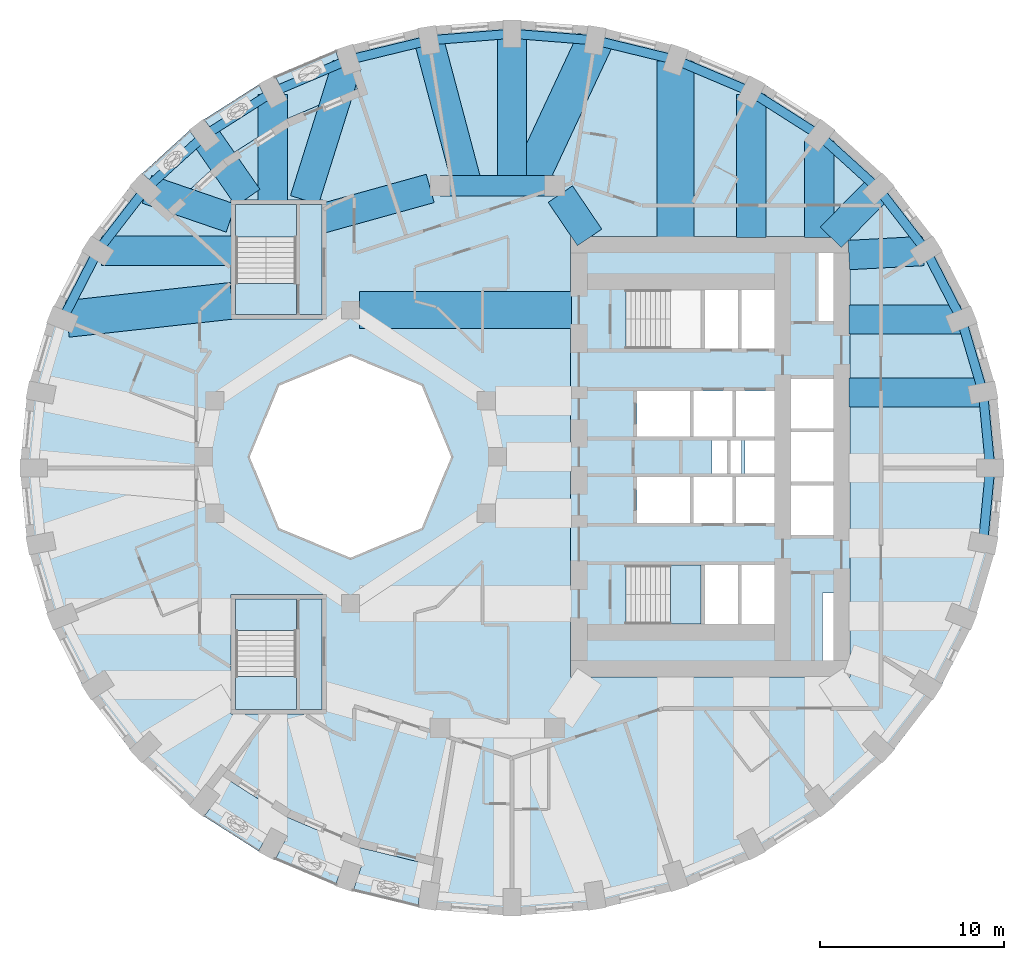
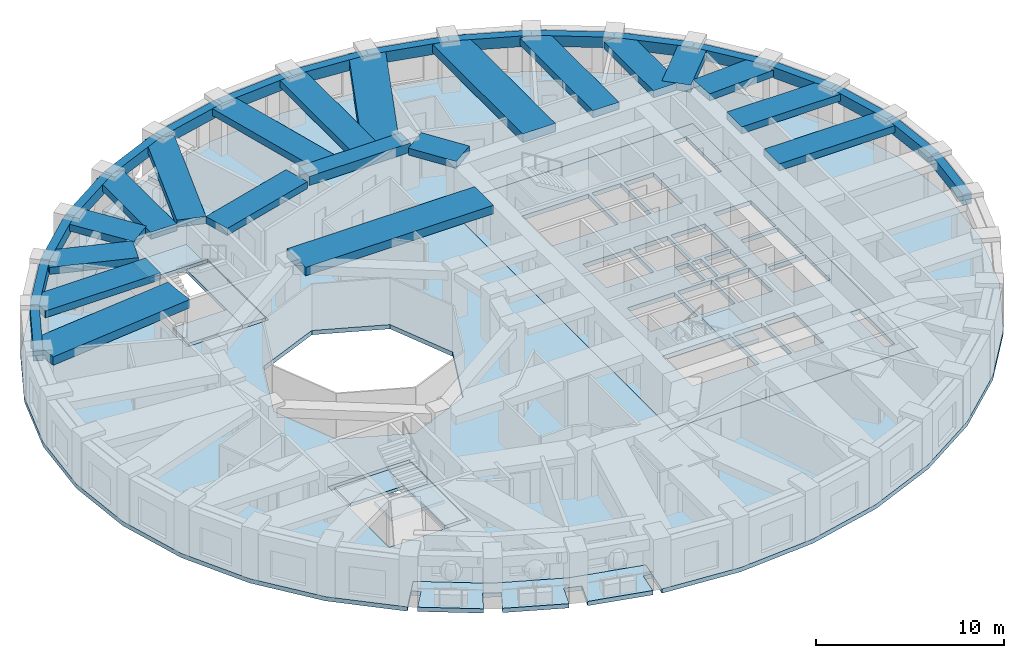
# One storey, part 2 of 12: 37 beams, 11 slabs, 3 elements without a shape of their own.
"""IFC4 building model written with IfcOpenShell, lengths in metres."""

from ifc_helpers import new_model, si_unit, direction, frame, origin, origin_2d, place, context, subcontext, project, spatial, polyline, rectangle, outline, extrude, material, layer, layer_set, material_profile, profile_set, type_object, element, aggregate, save


model = new_model("IFC4")

# Units and contexts
model_context = context("Model", 3, precision=1e-05, world=origin(), true_north=direction((0.0, 1.0)))
body_context = subcontext(model_context, "Body", "Model", "MODEL_VIEW")
ifc_project = project(units=[si_unit("LENGTHUNIT", "METRE"), si_unit("AREAUNIT", "SQUARE_METRE"), si_unit("VOLUMEUNIT", "CUBIC_METRE"), si_unit("PLANEANGLEUNIT", "RADIAN"), si_unit("MASSUNIT", "GRAM", prefix="KILO")], contexts=[model_context])

# Site, building, storey
site_placement = place(None, origin())
site = spatial("IfcSite", under=ifc_project, at=site_placement, CompositionType="ELEMENT")
building_placement = place(site_placement, origin())
building = spatial("IfcBuilding", under=site, at=building_placement, Name="Taillehof Tower", CompositionType="ELEMENT")
storey_placement = place(building_placement, frame((0.0, 0.0, 118.60009765625)))
storey = spatial("IfcBuildingStorey", under=building, at=storey_placement, Name="L33", CompositionType="ELEMENT", Elevation=118.60009765625)

# Beams
ifc_material_1 = material(Name="Concrete C50/60", Category="concrete")
ifc_material_profile_1 = material_profile(ifc_material_1, rectangle(XDim=1.10009765625, YDim=0.60009765625, at=origin_2d()), Name="RC 1100x600")
ifc_profile_set_1 = profile_set([ifc_material_profile_1], Name="Concrete C50/60")
beam_type_1 = type_object("IfcBeamType", Name="Mid-ring beam C50/60 1100x600", PredefinedType="BEAM", material=ifc_profile_set_1)
beam_1_placement = place(storey_placement, frame((3.125732421875, 14.772216796875, 2.719970703125), z_axis=(-1.0, 0.0, 0.0), x_axis=(0.0, -1.0, 0.0)))
element("IfcBeam", 1, at=beam_1_placement, inside=storey, type_object=beam_type_1, Name="Mid-ring beam MB01", PredefinedType="BEAM", context=body_context, shape_type="SweptSolid", body=[
    extrude(rectangle(XDim=1.10009765625, YDim=0.60009765625, at=origin_2d()), origin(), (0.0, 0.0, 1.0), 6.25146484375),
])
ifc_material_2 = material(Name="Concrete C50/60", Category="concrete")
ifc_material_profile_2 = material_profile(ifc_material_2, rectangle(XDim=1.60009765625, YDim=0.449951171875, at=origin_2d()), Name="RC 1600x450")
ifc_profile_set_2 = profile_set([ifc_material_profile_2], Name="Concrete C50/60")
beam_type_2 = type_object("IfcBeamType", Name="Radial band beam C50/60 1600x450", PredefinedType="BEAM", material=ifc_profile_set_2)
beam_2_placement = place(storey_placement, frame((26.454345703125, 3.5068359375, 2.794921875), z_axis=(-1.0, 0.0, 0.0), x_axis=(0.0, -1.0, 0.0)))
element("IfcBeam", 2, at=beam_2_placement, inside=storey, type_object=beam_type_2, Name="Radial band beam RB02", PredefinedType="BEAM", context=body_context, shape_type="SweptSolid", body=[
    extrude(rectangle(XDim=1.60009765625, YDim=0.449951171875, at=origin_2d()), origin(), (0.0, 0.0, 1.0), 7.304443359375),
])
beam_3_placement = place(storey_placement, frame((25.2275390625, 7.48876953125, 2.794921875), z_axis=(-1.0, 0.0, 0.0), x_axis=(0.0, -1.0, 0.0)))
element("IfcBeam", 3, at=beam_3_placement, inside=storey, type_object=beam_type_2, Name="Radial band beam RB03", PredefinedType="BEAM", context=body_context, shape_type="SweptSolid", body=[
    extrude(rectangle(XDim=1.60009765625, YDim=0.449951171875, at=origin_2d()), origin(), (0.0, 0.0, 1.0), 6.07763671875),
])
beam_4_placement = place(storey_placement, frame((23.197021484375, 11.21630859375, 2.794921875), z_axis=(-0.998539024739, -0.054035322466, 0.0), x_axis=(0.054035322466, -0.998539024739, 0.0)))
element("IfcBeam", 4, at=beam_4_placement, inside=storey, type_object=beam_type_2, Name="Radial band beam RB04", PredefinedType="BEAM", context=body_context, shape_type="SweptSolid", body=[
    extrude(rectangle(XDim=1.60009765625, YDim=0.449951171875, at=origin_2d()), origin(), (0.0, 0.0, 1.0), 4.052734375),
])
beam_5_placement = place(storey_placement, frame((20.75537109375, 14.60205078125, 2.794921875), z_axis=(-0.700671998657, -0.713483531903, 0.0), x_axis=(0.713483531903, -0.700671998657, 0.0)))
element("IfcBeam", 5, at=beam_5_placement, inside=storey, type_object=beam_type_2, Name="Radial band beam RB05", PredefinedType="BEAM", context=body_context, shape_type="SweptSolid", body=[
    extrude(rectangle(XDim=1.60009765625, YDim=0.449951171875, at=origin_2d()), origin(), (0.0, 0.0, 1.0), 3.697021484375),
])
beam_6_placement = place(storey_placement, frame((17.544677734375, 17.2216796875, 2.794921875), z_axis=(0.0, -1.0, 0.0), x_axis=(1.0, 0.0, 0.0)))
element("IfcBeam", 6, at=beam_6_placement, inside=storey, type_object=beam_type_2, Name="Radial band beam RB06", PredefinedType="BEAM", context=body_context, shape_type="SweptSolid", body=[
    extrude(rectangle(XDim=1.60009765625, YDim=0.449951171875, at=origin_2d()), origin(), (0.0, 0.0, 1.0), 5.271728515625),
])
beam_7_placement = place(storey_placement, frame((13.824951171875, 19.744384765625, 2.794921875), z_axis=(0.0, -1.0, 0.0), x_axis=(1.0, 0.0, 0.0)))
element("IfcBeam", 7, at=beam_7_placement, inside=storey, type_object=beam_type_2, Name="Radial band beam RB07", PredefinedType="BEAM", context=body_context, shape_type="SweptSolid", body=[
    extrude(rectangle(XDim=1.60009765625, YDim=0.449951171875, at=origin_2d()), origin(), (0.0, 0.0, 1.0), 7.79443359375),
])
beam_8_placement = place(storey_placement, frame((0.800048828125, 23.050048828125, 2.794921875), z_axis=(0.0, -1.0, 0.0), x_axis=(1.0, 0.0, 0.0)))
element("IfcBeam", 8, at=beam_8_placement, inside=storey, type_object=beam_type_2, Name="Radial band beam RB10", PredefinedType="BEAM", context=body_context, shape_type="SweptSolid", body=[
    extrude(rectangle(XDim=1.60009765625, YDim=0.449951171875, at=origin_2d()), origin(), (0.0, 0.0, 1.0), 8.27783203125),
])
beam_9_placement = place(storey_placement, frame((-3.7236328125, 22.690673828125, 2.794921875), z_axis=(0.256102263642, -0.966649693817, 0.0), x_axis=(0.966649693817, 0.256102263642, 0.0)))
element("IfcBeam", 9, at=beam_9_placement, inside=storey, type_object=beam_type_2, Name="Radial band beam RB11", PredefinedType="BEAM", context=body_context, shape_type="SweptSolid", body=[
    extrude(rectangle(XDim=1.60009765625, YDim=0.449951171875, at=origin_2d()), origin(), (0.0, 0.0, 1.0), 8.191650390625),
])
beam_10_placement = place(storey_placement, frame((-8.189453125, 21.369140625, 2.794921875), z_axis=(-0.299184997435, -0.954195125386, 0.0), x_axis=(0.954195125386, -0.299184997435, 0.0)))
element("IfcBeam", 10, at=beam_10_placement, inside=storey, type_object=beam_type_2, Name="Radial band beam RB12", PredefinedType="BEAM", context=body_context, shape_type="SweptSolid", body=[
    extrude(rectangle(XDim=1.60009765625, YDim=0.449951171875, at=origin_2d()), origin(), (0.0, 0.0, 1.0), 7.728515625),
])
beam_11_placement = place(storey_placement, frame((-12.22509765625, 19.744384765625, 2.794921875), z_axis=(0.0, -1.0, 0.0), x_axis=(1.0, 0.0, 0.0)))
element("IfcBeam", 11, at=beam_11_placement, inside=storey, type_object=beam_type_2, Name="Radial band beam RB13", PredefinedType="BEAM", context=body_context, shape_type="SweptSolid", body=[
    extrude(rectangle(XDim=1.60009765625, YDim=0.449951171875, at=origin_2d()), origin(), (0.0, 0.0, 1.0), 5.79443359375),
])
beam_12_placement = place(storey_placement, frame((-15.944580078125, 17.516845703125, 2.794921875), z_axis=(0.570763290366, -0.821114648737, 0.0), x_axis=(0.821114648737, 0.570763290366, 0.0)))
element("IfcBeam", 12, at=beam_12_placement, inside=storey, type_object=beam_type_2, Name="Radial band beam RB14", PredefinedType="BEAM", context=body_context, shape_type="SweptSolid", body=[
    extrude(rectangle(XDim=1.60009765625, YDim=0.449951171875, at=origin_2d()), origin(), (0.0, 0.0, 1.0), 4.1328125),
])
beam_13_placement = place(storey_placement, frame((-19.080810546875, 14.576171875, 2.794921875), z_axis=(0.945583195076, -0.325380425334, 0.0), x_axis=(0.325380425334, 0.945583195076, 0.0)))
element("IfcBeam", 13, at=beam_13_placement, inside=storey, type_object=beam_type_2, Name="Radial band beam RB15", PredefinedType="BEAM", context=body_context, shape_type="SweptSolid", body=[
    extrude(rectangle(XDim=1.60009765625, YDim=0.449951171875, at=origin_2d()), origin(), (0.0, 0.0, 1.0), 4.83349609375),
])
beam_14_placement = place(storey_placement, frame((-21.54736328125, 11.22509765625, 2.794921875), z_axis=(1.0, 0.0, 0.0), x_axis=(0.0, 1.0, 0.0)))
element("IfcBeam", 14, at=beam_14_placement, inside=storey, type_object=beam_type_2, Name="Radial band beam RB16", PredefinedType="BEAM", context=body_context, shape_type="SweptSolid", body=[
    extrude(rectangle(XDim=1.60009765625, YDim=0.449951171875, at=origin_2d()), origin(), (0.0, 0.0, 1.0), 7.097412109375),
])
beam_15_placement = place(storey_placement, frame((3.433837890625, 14.31640625, 2.794921875), z_axis=(0.560112043398, -0.828416862962, 0.0), x_axis=(0.828416862962, 0.560112043398, 0.0)))
element("IfcBeam", 15, at=beam_15_placement, inside=storey, type_object=beam_type_2, Name="Inner band beam IB205", PredefinedType="BEAM", context=body_context, shape_type="SweptSolid", body=[
    extrude(rectangle(XDim=1.60009765625, YDim=0.449951171875, at=origin_2d()), origin(), (0.0, 0.0, 1.0), 2.84619140625),
])
beam_16_placement = place(storey_placement, frame((-3.655517578125, 14.624755859375, 2.794921875), z_axis=(-0.963459369536, -0.267854518821, 0.0), x_axis=(0.267854518821, -0.963459369536, 0.0)))
element("IfcBeam", 16, at=beam_16_placement, inside=storey, type_object=beam_type_2, Name="Inner band beam IB206", PredefinedType="BEAM", context=body_context, shape_type="SweptSolid", body=[
    extrude(rectangle(XDim=1.60009765625, YDim=0.449951171875, at=origin_2d()), origin(), (0.0, 0.0, 1.0), 6.096923828125),
])
ifc_material_3 = material(Name="Concrete C50/60", Category="concrete")
ifc_material_profile_3 = material_profile(ifc_material_3, rectangle(XDim=2.0, YDim=0.550048828125, at=origin_2d()), Name="RC 2000x550")
ifc_profile_set_3 = profile_set([ifc_material_profile_3], Name="Concrete C50/60")
beam_type_3 = type_object("IfcBeamType", Name="Radial band beam C50/60 2000x550", PredefinedType="BEAM", material=ifc_profile_set_3)
beam_17_placement = place(storey_placement, frame((9.709716796875, 21.556640625, 2.744873046875), z_axis=(0.0, -1.0, 0.0), x_axis=(1.0, 0.0, 0.0)))
element("IfcBeam", 17, at=beam_17_placement, inside=storey, type_object=beam_type_3, Name="Radial band beam RB08", PredefinedType="BEAM", context=body_context, shape_type="SweptSolid", body=[
    extrude(rectangle(XDim=2.0, YDim=0.550048828125, at=origin_2d()), origin(), (0.0, 0.0, 1.0), 9.606689453125),
])
beam_18_placement = place(storey_placement, frame((5.312744140625, 22.66748046875, 2.744873046875), z_axis=(-0.423126261145, -0.90607072965, 0.0), x_axis=(0.90607072965, -0.423126261145, 0.0)))
element("IfcBeam", 18, at=beam_18_placement, inside=storey, type_object=beam_type_3, Name="Radial band beam RB09", PredefinedType="BEAM", context=body_context, shape_type="SweptSolid", body=[
    extrude(rectangle(XDim=2.0, YDim=0.550048828125, at=origin_2d()), origin(), (0.0, 0.0, 1.0), 8.713623046875),
])
beam_19_placement = place(storey_placement, frame((-23.42919921875, 7.516357421875, 2.744873046875), z_axis=(0.993988424713, 0.109485211499, 0.0), x_axis=(-0.109485211499, 0.993988424713, 0.0)))
element("IfcBeam", 19, at=beam_19_placement, inside=storey, type_object=beam_type_3, Name="Radial band beam RB17", PredefinedType="BEAM", context=body_context, shape_type="SweptSolid", body=[
    extrude(rectangle(XDim=2.0, YDim=0.550048828125, at=origin_2d()), origin(), (0.0, 0.0, 1.0), 9.033203125),
])
beam_20_placement = place(storey_placement, frame((-7.5, 8.0, 2.744873046875), z_axis=(1.0, 0.0, 0.0), x_axis=(0.0, 1.0, 0.0)))
element("IfcBeam", 20, at=beam_20_placement, inside=storey, type_object=beam_type_3, Name="Inner band beam IB105", PredefinedType="BEAM", context=body_context, shape_type="SweptSolid", body=[
    extrude(rectangle(XDim=2.0, YDim=0.550048828125, at=origin_2d()), origin(), (0.0, 0.0, 1.0), 11.550048828125),
])
ifc_material_4 = material(Name="Concrete C50/60", Category="concrete")
ifc_material_profile_4 = material_profile(ifc_material_4, rectangle(XDim=0.5, YDim=0.699951171875, at=origin_2d()), Name="RC 500x700")
ifc_profile_set_4 = profile_set([ifc_material_profile_4], Name="Concrete C50/60")
beam_type_4 = type_object("IfcBeamType", Name="Spandrel beam C50/60 500x700", PredefinedType="SPANDREL", material=ifc_profile_set_4)
beam_21_placement = place(storey_placement, frame((26.85009765625, -0.60009765625, 2.669921875), z_axis=(-0.095917608943, 0.995389276763, 0.0), x_axis=(-0.995389276763, -0.095917608943, 0.0)))
element("IfcBeam", 21, at=beam_21_placement, inside=storey, type_object=beam_type_4, Name="Spandrel beam SB01", PredefinedType="SPANDREL", context=body_context, shape_type="SweptSolid", body=[
    extrude(rectangle(XDim=0.5, YDim=0.699951171875, at=origin_2d()), origin(), (0.0, 0.0, 1.0), 4.1259765625),
])
beam_22_placement = place(storey_placement, frame((26.454345703125, 3.5068359375, 2.669921875), z_axis=(-0.28308309012, 0.95909538842, 0.0), x_axis=(-0.95909538842, -0.28308309012, 0.0)))
element("IfcBeam", 22, at=beam_22_placement, inside=storey, type_object=beam_type_4, Name="Spandrel beam SB02", PredefinedType="SPANDREL", context=body_context, shape_type="SweptSolid", body=[
    extrude(rectangle(XDim=0.5, YDim=0.699951171875, at=origin_2d()), origin(), (0.0, 0.0, 1.0), 4.15185546875),
])
beam_23_placement = place(storey_placement, frame((25.279052734375, 7.48876953125, 2.669921875), z_axis=(-0.456905372708, 0.88951530644, 0.0), x_axis=(-0.88951530644, -0.456905372708, 0.0)))
element("IfcBeam", 23, at=beam_23_placement, inside=storey, type_object=beam_type_4, Name="Spandrel beam SB03", PredefinedType="SPANDREL", context=body_context, shape_type="SweptSolid", body=[
    extrude(rectangle(XDim=0.5, YDim=0.699951171875, at=origin_2d()), origin(), (0.0, 0.0, 1.0), 4.200439453125),
])
beam_24_placement = place(storey_placement, frame((23.35986328125, 11.22509765625, 2.669921875), z_axis=(-0.61071731561, 0.79184869793, 0.0), x_axis=(-0.79184869793, -0.61071731561, 0.0)))
element("IfcBeam", 24, at=beam_24_placement, inside=storey, type_object=beam_type_4, Name="Spandrel beam SB04", PredefinedType="SPANDREL", context=body_context, shape_type="SweptSolid", body=[
    extrude(rectangle(XDim=0.5, YDim=0.699951171875, at=origin_2d()), origin(), (0.0, 0.0, 1.0), 4.2646484375),
])
beam_25_placement = place(storey_placement, frame((20.75537109375, 14.60205078125, 2.669921875), z_axis=(-0.740400998917, 0.672165426665, 0.0), x_axis=(-0.672165426665, -0.740400998917, 0.0)))
element("IfcBeam", 25, at=beam_25_placement, inside=storey, type_object=beam_type_4, Name="Spandrel beam SB05", PredefinedType="SPANDREL", context=body_context, shape_type="SweptSolid", body=[
    extrude(rectangle(XDim=0.5, YDim=0.699951171875, at=origin_2d()), origin(), (0.0, 0.0, 1.0), 4.33642578125),
])
beam_26_placement = place(storey_placement, frame((17.544677734375, 17.516845703125, 2.669921875), z_axis=(-0.843903157847, 0.536495536027, 0.0), x_axis=(-0.536495536027, -0.843903157847, 0.0)))
element("IfcBeam", 26, at=beam_26_placement, inside=storey, type_object=beam_type_4, Name="Spandrel beam SB06", PredefinedType="SPANDREL", context=body_context, shape_type="SweptSolid", body=[
    extrude(rectangle(XDim=0.5, YDim=0.699951171875, at=origin_2d()), origin(), (0.0, 0.0, 1.0), 4.40771484375),
])
beam_27_placement = place(storey_placement, frame((13.824951171875, 19.881591796875, 2.669921875), z_axis=(-0.920876744153, 0.389853847074, 0.0), x_axis=(-0.389853847074, -0.920876744153, 0.0)))
element("IfcBeam", 27, at=beam_27_placement, inside=storey, type_object=beam_type_4, Name="Spandrel beam SB07", PredefinedType="SPANDREL", context=body_context, shape_type="SweptSolid", body=[
    extrude(rectangle(XDim=0.5, YDim=0.699951171875, at=origin_2d()), origin(), (0.0, 0.0, 1.0), 4.46875),
])
beam_28_placement = place(storey_placement, frame((9.709716796875, 21.623779296875, 2.669921875), z_axis=(-0.971668945916, 0.23634605887, 0.0), x_axis=(-0.23634605887, -0.971668945916, 0.0)))
element("IfcBeam", 28, at=beam_28_placement, inside=storey, type_object=beam_type_4, Name="Spandrel beam SB08", PredefinedType="SPANDREL", context=body_context, shape_type="SweptSolid", body=[
    extrude(rectangle(XDim=0.5, YDim=0.699951171875, at=origin_2d()), origin(), (0.0, 0.0, 1.0), 4.51416015625),
])
beam_29_placement = place(storey_placement, frame((5.323486328125, 22.690673828125, 2.669921875), z_axis=(-0.996858923208, 0.079197772828, 0.0), x_axis=(-0.079197772828, -0.996858923208, 0.0)))
element("IfcBeam", 29, at=beam_29_placement, inside=storey, type_object=beam_type_4, Name="Spandrel beam SB09", PredefinedType="SPANDREL", context=body_context, shape_type="SweptSolid", body=[
    extrude(rectangle(XDim=0.5, YDim=0.699951171875, at=origin_2d()), origin(), (0.0, 0.0, 1.0), 4.53759765625),
])
beam_30_placement = place(storey_placement, frame((0.800048828125, 23.050048828125, 2.669921875), z_axis=(-0.996859260648, -0.079193525375, 0.0), x_axis=(0.079193525375, -0.996859260648, 0.0)))
element("IfcBeam", 30, at=beam_30_placement, inside=storey, type_object=beam_type_4, Name="Spandrel beam SB10", PredefinedType="SPANDREL", context=body_context, shape_type="SweptSolid", body=[
    extrude(rectangle(XDim=0.5, YDim=0.699951171875, at=origin_2d()), origin(), (0.0, 0.0, 1.0), 4.537841796875),
])
beam_31_placement = place(storey_placement, frame((-3.7236328125, 22.690673828125, 2.669921875), z_axis=(-0.971665924588, -0.236358479847, 0.0), x_axis=(0.236358479847, -0.971665924588, 0.0)))
element("IfcBeam", 31, at=beam_31_placement, inside=storey, type_object=beam_type_4, Name="Spandrel beam SB11", PredefinedType="SPANDREL", context=body_context, shape_type="SweptSolid", body=[
    extrude(rectangle(XDim=0.5, YDim=0.699951171875, at=origin_2d()), origin(), (0.0, 0.0, 1.0), 4.513916015625),
])
beam_32_placement = place(storey_placement, frame((-8.109619140625, 21.623779296875, 2.669921875), z_axis=(-0.920885046825, -0.389834234688, 0.0), x_axis=(0.389834234688, -0.920885046825, 0.0)))
element("IfcBeam", 32, at=beam_32_placement, inside=storey, type_object=beam_type_4, Name="Spandrel beam SB12", PredefinedType="SPANDREL", context=body_context, shape_type="SweptSolid", body=[
    extrude(rectangle(XDim=0.5, YDim=0.699951171875, at=origin_2d()), origin(), (0.0, 0.0, 1.0), 4.468994140625),
])
beam_33_placement = place(storey_placement, frame((-12.22509765625, 19.881591796875, 2.669921875), z_axis=(-0.843887214322, -0.536520614239, 0.0), x_axis=(0.536520614239, -0.843887214322, 0.0)))
element("IfcBeam", 33, at=beam_33_placement, inside=storey, type_object=beam_type_4, Name="Spandrel beam SB13", PredefinedType="SPANDREL", context=body_context, shape_type="SweptSolid", body=[
    extrude(rectangle(XDim=0.5, YDim=0.699951171875, at=origin_2d()), origin(), (0.0, 0.0, 1.0), 4.407470703125),
])
beam_34_placement = place(storey_placement, frame((-15.944580078125, 17.516845703125, 2.669921875), z_axis=(-0.740426434014, -0.672137408432, 0.0), x_axis=(0.672137408432, -0.740426434014, 0.0)))
element("IfcBeam", 34, at=beam_34_placement, inside=storey, type_object=beam_type_4, Name="Spandrel beam SB14", PredefinedType="SPANDREL", context=body_context, shape_type="SweptSolid", body=[
    extrude(rectangle(XDim=0.5, YDim=0.699951171875, at=origin_2d()), origin(), (0.0, 0.0, 1.0), 4.336669921875),
])
beam_35_placement = place(storey_placement, frame((-19.155517578125, 14.60205078125, 2.669921875), z_axis=(-0.61071731561, -0.79184869793, 0.0), x_axis=(0.79184869793, -0.61071731561, 0.0)))
element("IfcBeam", 35, at=beam_35_placement, inside=storey, type_object=beam_type_4, Name="Spandrel beam SB15", PredefinedType="SPANDREL", context=body_context, shape_type="SweptSolid", body=[
    extrude(rectangle(XDim=0.5, YDim=0.699951171875, at=origin_2d()), origin(), (0.0, 0.0, 1.0), 4.2646484375),
])
beam_36_placement = place(storey_placement, frame((-21.760009765625, 11.22509765625, 2.669921875), z_axis=(-0.456859381733, -0.889538928503, 0.0), x_axis=(0.889538928503, -0.456859381733, 0.0)))
element("IfcBeam", 36, at=beam_36_placement, inside=storey, type_object=beam_type_4, Name="Spandrel beam SB16", PredefinedType="SPANDREL", context=body_context, shape_type="SweptSolid", body=[
    extrude(rectangle(XDim=0.5, YDim=0.699951171875, at=origin_2d()), origin(), (0.0, 0.0, 1.0), 4.2001953125),
])
beam_37_placement = place(storey_placement, frame((26.454345703125, -4.706787109375, 2.669921875), z_axis=(0.09592325873, 0.995388732323, 0.0), x_axis=(-0.995388732323, 0.09592325873, 0.0)))
element("IfcBeam", 37, at=beam_37_placement, inside=storey, type_object=beam_type_4, Name="Spandrel beam SB36", PredefinedType="SPANDREL", context=body_context, shape_type="SweptSolid", body=[
    extrude(rectangle(XDim=0.5, YDim=0.699951171875, at=origin_2d()), origin(), (0.0, 0.0, 1.0), 4.125732421875),
])

# Slabs
ifc_material_5 = material(Name="Concrete C40/50", Category="concrete")
ifc_layer_1 = layer(ifc_material_5, 0.280029296875)
ifc_layer_set_1 = layer_set([ifc_layer_1], Name="Balcony slab 280")
slab_type_1 = type_object("IfcSlabType", Name="Balcony slab 280", PredefinedType="USERDEFINED", material=ifc_layer_set_1)
slab_1_placement = place(storey_placement, frame((0.0, 0.0, -0.280029296875)))
element("IfcSlab", 38, at=slab_1_placement, inside=storey, type_object=slab_type_1, Name="Balcony L33 pocket 7", ObjectType="BALCONY", PredefinedType="USERDEFINED", context=body_context, shape_type="SweptSolid", body=[
    extrude(outline(polyline([(-3.473388671875, -22.259765625), (-3.615966796875, -23.1484375), (-4.098388671875, -23.071044921875), (-4.329833984375, -24.51318359375), (-7.857666015625, -23.652587890625), (-7.399169921875, -22.26904296875), (-8.348388671875, -21.95458984375), (-8.807861328125, -23.341064453125), (-12.11083984375, -21.938720703125), (-11.433349609375, -20.650390625), (-12.318603515625, -20.18505859375), (-12.998046875, -21.477294921875), (-15.974609375, -19.579833984375), (-15.092041015625, -18.424560546875), (-15.5166015625, -18.10009765625), (-14.9697265625, -17.38427734375), (-11.4833984375, -19.606689453125), (-7.611328125, -21.250244140625), (-3.473388671875, -22.259765625)])), origin(), (0.0, 0.0, 1.0), 0.280029296875),
])
slab_2_placement = place(storey_placement, frame((0.0, 0.0, -0.280029296875)))
element("IfcSlab", 39, at=slab_2_placement, inside=storey, type_object=slab_type_1, Name="Balcony L33 pocket 3", ObjectType="BALCONY", PredefinedType="USERDEFINED", context=body_context, shape_type="SweptSolid", body=[
    extrude(outline(polyline([(-17.965087890625, 13.45751953125), (-18.627685546875, 14.068115234375), (-18.26513671875, 14.46142578125), (-19.3330078125, 15.445556640625), (-16.7724609375, 17.77685546875), (-15.88671875, 16.617431640625), (-15.092041015625, 17.224609375), (-15.974609375, 18.379638671875), (-12.998046875, 20.27734375), (-12.318603515625, 18.985107421875), (-11.433349609375, 19.4501953125), (-12.11083984375, 20.73876953125), (-8.807861328125, 22.14111328125), (-8.348388671875, 20.754638671875), (-7.894287109375, 20.905029296875), (-7.611328125, 20.05029296875), (-11.4833984375, 18.40673828125), (-14.9697265625, 16.184326171875), (-17.965087890625, 13.45751953125)])), origin(), (0.0, 0.0, 1.0), 0.280029296875),
])
ifc_material_6 = material(Name="Concrete C40/50", Category="concrete")
ifc_layer_2 = layer(ifc_material_6, 0.280029296875)
ifc_layer_set_2 = layer_set([ifc_layer_2], Name="Core floor slab C40/50 280")
slab_type_2 = type_object("IfcSlabType", Name="Core floor slab C40/50 280", PredefinedType="FLOOR", material=ifc_layer_set_2)
slab_3_placement = place(storey_placement, frame((0.0, 0.0, -0.280029296875)))
element("IfcSlab", 40, at=slab_3_placement, inside=storey, type_object=slab_type_2, Name="Core floor L33", PredefinedType="FLOOR", context=body_context, shape_type="SweptSolid", body=[
    extrude(outline(polyline([(4.0, -12.0), (4.0, 12.0), (19.199951171875, 12.0), (19.199951171875, -12.0), (4.0, -12.0)]), holes=[polyline([(7.00048828125, -9.10009765625), (11.10009765625, -9.10009765625), (11.10009765625, -5.89990234375), (7.00048828125, -5.89990234375), (7.00048828125, -9.10009765625)]), polyline([(13.10009765625, -9.10009765625), (13.10009765625, -5.89990234375), (11.300048828125, -5.89990234375), (11.300048828125, -9.10009765625), (13.10009765625, -9.10009765625)]), polyline([(10.5, -3.60009765625), (10.5, -1.10009765625), (7.60009765625, -1.10009765625), (7.60009765625, -3.60009765625), (10.5, -3.60009765625)]), polyline([(10.699951171875, -3.60009765625), (12.800048828125, -3.60009765625), (12.800048828125, -1.10009765625), (10.699951171875, -1.10009765625), (10.699951171875, -3.60009765625)]), polyline([(11.699951171875, -0.89990234375), (12.5, -0.89990234375), (12.5, 0.89990234375), (11.699951171875, 0.89990234375), (11.699951171875, -0.89990234375)]), polyline([(13.300048828125, -0.89990234375), (13.300048828125, 0.89990234375), (12.699951171875, 0.89990234375), (12.699951171875, -0.89990234375), (13.300048828125, -0.89990234375)]), polyline([(10.5, 1.10009765625), (10.5, 3.60009765625), (7.60009765625, 3.60009765625), (7.60009765625, 1.10009765625), (10.5, 1.10009765625)]), polyline([(12.800048828125, 1.10009765625), (12.800048828125, 3.60009765625), (10.699951171875, 3.60009765625), (10.699951171875, 1.10009765625), (12.800048828125, 1.10009765625)]), polyline([(11.300048828125, 5.89990234375), (13.10009765625, 5.89990234375), (13.10009765625, 9.10009765625), (11.300048828125, 9.10009765625), (11.300048828125, 5.89990234375)]), polyline([(7.00048828125, 5.89990234375), (11.10009765625, 5.89990234375), (11.10009765625, 9.10009765625), (7.00048828125, 9.10009765625), (7.00048828125, 5.89990234375)]), polyline([(18.300048828125, -11.10009765625), (18.300048828125, -7.39990234375), (17.699951171875, -7.39990234375), (17.699951171875, -11.10009765625), (18.300048828125, -11.10009765625)]), polyline([(15.10009765625, -9.10009765625), (15.10009765625, -5.89990234375), (13.300048828125, -5.89990234375), (13.300048828125, -9.10009765625), (15.10009765625, -9.10009765625)]), polyline([(18.300048828125, -4.25), (18.300048828125, -1.550048828125), (16.0, -1.550048828125), (16.0, -4.25), (18.300048828125, -4.25)]), polyline([(13.0, -3.60009765625), (15.10009765625, -3.60009765625), (15.10009765625, -1.10009765625), (13.0, -1.10009765625), (13.0, -3.60009765625)]), polyline([(13.5, -0.89990234375), (15.10009765625, -0.89990234375), (15.10009765625, 0.89990234375), (13.5, 0.89990234375), (13.5, -0.89990234375)]), polyline([(18.300048828125, -1.35009765625), (18.300048828125, 1.35009765625), (16.0, 1.35009765625), (16.0, -1.35009765625), (18.300048828125, -1.35009765625)]), polyline([(15.10009765625, 1.10009765625), (15.10009765625, 3.60009765625), (13.0, 3.60009765625), (13.0, 1.10009765625), (15.10009765625, 1.10009765625)]), polyline([(18.300048828125, 1.550048828125), (18.300048828125, 4.25), (16.0, 4.25), (16.0, 1.550048828125), (18.300048828125, 1.550048828125)]), polyline([(13.300048828125, 5.89990234375), (15.10009765625, 5.89990234375), (15.10009765625, 9.10009765625), (13.300048828125, 9.10009765625), (13.300048828125, 5.89990234375)]), polyline([(17.5, 7.39990234375), (18.300048828125, 7.39990234375), (18.300048828125, 11.10009765625), (17.5, 11.10009765625), (17.5, 7.39990234375)])]), origin(), (0.0, 0.0, 1.0), 0.280029296875),
])
ifc_material_7 = material(Name="Concrete C40/50", Category="concrete")
ifc_layer_3 = layer(ifc_material_7, 0.280029296875)
ifc_layer_set_3 = layer_set([ifc_layer_3], Name="Floor slab 280")
slab_type_3 = type_object("IfcSlabType", Name="Floor slab 280", PredefinedType="FLOOR", material=ifc_layer_set_3)
slab_4_placement = place(storey_placement, frame((0.0, 0.0, -0.280029296875)))
element("IfcSlab", 41, at=slab_4_placement, inside=storey, type_object=slab_type_3, Name="Floor slab L33", PredefinedType="FLOOR", context=body_context, shape_type="SweptSolid", body=[
    extrude(outline(polyline([(27.60009765625, -0.60009765625), (27.19287109375, 3.636962890625), (25.98388671875, 7.745361328125), (24.009521484375, 11.60009765625), (21.330078125, 15.083984375), (18.026611328125, 18.091552734375), (14.199951171875, 20.531005859375), (9.966064453125, 22.32861328125), (5.453857421875, 23.42919921875), (0.800048828125, 23.800048828125), (-3.853759765625, 23.42919921875), (-8.3662109375, 22.32861328125), (-7.611083984375, 20.05029296875), (-11.4833984375, 18.406494140625), (-14.9697265625, 16.184326171875), (-17.965087890625, 13.45751953125), (-19.72998046875, 15.083984375), (-22.409423828125, 11.60009765625), (-24.3837890625, 7.745361328125), (-25.5927734375, 3.636962890625), (-26.0, -0.60009765625), (-25.5927734375, -4.8369140625), (-24.3837890625, -8.9453125), (-22.409423828125, -12.800048828125), (-19.72998046875, -16.283935546875), (-16.4267578125, -19.29150390625), (-14.9697265625, -17.38427734375), (-11.4833984375, -19.606689453125), (-7.611083984375, -21.250244140625), (-3.473388671875, -22.259765625), (-3.853759765625, -24.62939453125), (0.800048828125, -25.0), (5.453857421875, -24.62939453125), (9.966064453125, -23.528564453125), (14.199951171875, -21.73095703125), (18.026611328125, -19.29150390625), (21.330078125, -16.283935546875), (24.009521484375, -12.800048828125), (25.98388671875, -8.9453125), (27.19287109375, -4.8369140625), (27.60009765625, -0.60009765625)]), holes=[polyline([(-14.5, -7.5), (-9.5, -7.5), (-9.5, -14.0), (-14.5, -14.0), (-14.5, -7.5)]), polyline([(-8.0, -5.5), (-11.88916015625, -3.88916015625), (-13.5, 0.0), (-11.88916015625, 3.88916015625), (-8.0, 5.5), (-4.11083984375, 3.88916015625), (-2.5, 0.0), (-4.11083984375, -3.88916015625), (-8.0, -5.5)]), polyline([(19.199951171875, 12.0), (19.199951171875, -12.0), (4.0, -12.0), (4.0, 12.0), (19.199951171875, 12.0)]), polyline([(-14.5, 14.0), (-9.5, 14.0), (-9.5, 7.5), (-14.5, 7.5), (-14.5, 14.0)])]), origin(), (0.0, 0.0, 1.0), 0.280029296875),
])

# Stair, slab
ifc_material_8 = material(Name="Concrete C40/50", Category="concrete")
stair_type = type_object("IfcStairType", Name="Exit stair half-turn", PredefinedType="HALF_TURN_STAIR", material=ifc_material_8)
stair_1_placement = place(storey_placement, origin())
stair_1 = element("IfcStair", 42, at=stair_1_placement, inside=storey, type_object=stair_type, Name="Exit stair S2", PredefinedType="HALF_TURN_STAIR")
ifc_material_9 = material(Name="Concrete C40/50", Category="concrete")
ifc_layer_4 = layer(ifc_material_9, 0.2099609375)
ifc_layer_set_4 = layer_set([ifc_layer_4], Name="Stair landing C40/50 210")
slab_type_4 = type_object("IfcSlabType", Name="Stair landing C40/50 210", PredefinedType="LANDING", material=ifc_layer_set_4)
slab_5_placement = place(storey_placement, frame((0.0, 0.0, 1.43994140625)))
slab_5 = element("IfcSlab", 43, at=slab_5_placement, type_object=slab_type_4, Name="S2 landing 1", PredefinedType="LANDING", context=body_context, shape_type="SweptSolid", body=[
    extrude(outline(polyline([(9.429931640625, -5.89990234375), (11.10009765625, -5.89990234375), (11.10009765625, -9.10009765625), (9.429931640625, -9.10009765625), (9.429931640625, -5.89990234375)])), origin(), (0.0, 0.0, 1.0), 0.2099609375),
])
aggregate(stair_1, [slab_5])

stair_2_placement = place(storey_placement, origin())
stair_2 = element("IfcStair", 44, at=stair_2_placement, inside=storey, type_object=stair_type, Name="Exit stair S3", PredefinedType="HALF_TURN_STAIR")
slab_6_placement = place(storey_placement, frame((0.0, 0.0, 1.43994140625)))
slab_6 = element("IfcSlab", 45, at=slab_6_placement, type_object=slab_type_4, Name="S3 landing 1", PredefinedType="LANDING", context=body_context, shape_type="SweptSolid", body=[
    extrude(outline(polyline([(-14.25, 11.969970703125), (-14.25, 13.75), (-10.949951171875, 13.75), (-10.949951171875, 11.969970703125), (-14.25, 11.969970703125)])), origin(), (0.0, 0.0, 1.0), 0.2099609375),
])
aggregate(stair_2, [slab_6])

stair_3_placement = place(storey_placement, origin())
stair_3 = element("IfcStair", 46, at=stair_3_placement, inside=storey, type_object=stair_type, Name="Exit stair S4", PredefinedType="HALF_TURN_STAIR")
slab_7_placement = place(storey_placement, frame((0.0, 0.0, 1.43994140625)))
slab_7 = element("IfcSlab", 47, at=slab_7_placement, type_object=slab_type_4, Name="S4 landing 1", PredefinedType="LANDING", context=body_context, shape_type="SweptSolid", body=[
    extrude(outline(polyline([(-14.25, -11.969970703125), (-14.25, -13.75), (-10.949951171875, -13.75), (-10.949951171875, -11.969970703125), (-14.25, -11.969970703125)])), origin(), (0.0, 0.0, 1.0), 0.2099609375),
])
aggregate(stair_3, [slab_7])

# Slabs
slab_8_placement = place(storey_placement, frame((0.0, 0.0, -0.210205078125)))
element("IfcSlab", 48, at=slab_8_placement, inside=storey, type_object=slab_type_4, Name="Stair S3 floor landing", PredefinedType="LANDING", context=body_context, shape_type="SweptSolid", body=[
    extrude(outline(polyline([(-14.25, 7.75), (-14.25, 9.449951171875), (-10.949951171875, 9.449951171875), (-10.949951171875, 7.75), (-14.25, 7.75)])), origin(), (0.0, 0.0, 1.0), 0.210205078125),
])
slab_9_placement = place(storey_placement, frame((0.0, 0.0, -0.210205078125)))
element("IfcSlab", 49, at=slab_9_placement, inside=storey, type_object=slab_type_4, Name="Stair lobby S3 floor", PredefinedType="LANDING", context=body_context, shape_type="SweptSolid", body=[
    extrude(outline(polyline([(-10.949951171875, 7.75), (-9.550048828125, 7.75), (-9.550048828125, 13.75), (-10.949951171875, 13.75), (-10.949951171875, 7.75)])), origin(), (0.0, 0.0, 1.0), 0.210205078125),
])
slab_10_placement = place(storey_placement, frame((0.0, 0.0, -0.210205078125)))
element("IfcSlab", 50, at=slab_10_placement, inside=storey, type_object=slab_type_4, Name="Stair S4 floor landing", PredefinedType="LANDING", context=body_context, shape_type="SweptSolid", body=[
    extrude(outline(polyline([(-14.25, -7.75), (-14.25, -9.449951171875), (-10.949951171875, -9.449951171875), (-10.949951171875, -7.75), (-14.25, -7.75)])), origin(), (0.0, 0.0, 1.0), 0.210205078125),
])
slab_11_placement = place(storey_placement, frame((0.0, 0.0, -0.210205078125)))
element("IfcSlab", 51, at=slab_11_placement, inside=storey, type_object=slab_type_4, Name="Stair lobby S4 floor", PredefinedType="LANDING", context=body_context, shape_type="SweptSolid", body=[
    extrude(outline(polyline([(-10.949951171875, -13.75), (-9.550048828125, -13.75), (-9.550048828125, -7.75), (-10.949951171875, -7.75), (-10.949951171875, -13.75)])), origin(), (0.0, 0.0, 1.0), 0.210205078125),
])

save(model, "model.ifc")
